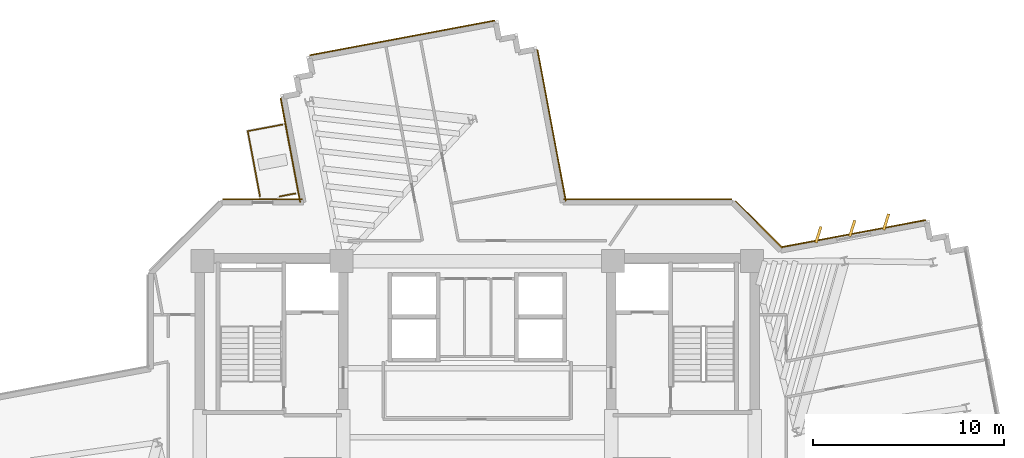
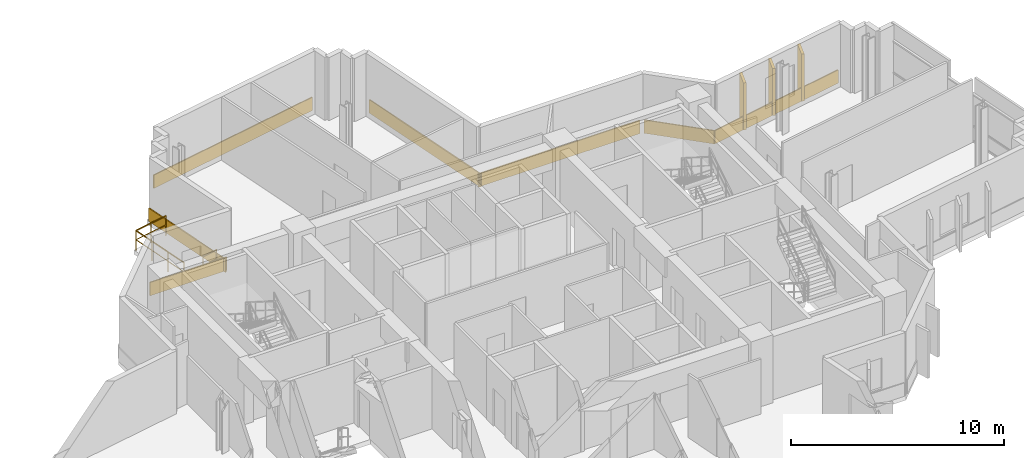
# One storey, part 16 of 16: 10 coverings, 3 railings.
"""IFC4 building model written with IfcOpenShell, lengths in metres."""

from ifc_helpers import new_model, si_unit, direction, frame, origin, origin_2d, place, context, subcontext, project, spatial, rectangle, extrude, source, transform, mapped, material, layer, layer_set, type_object, element, save


model = new_model("IFC4")

# Units and contexts
model_context = context("Model", 3, precision=1e-05, world=origin(), true_north=direction((0.0, 1.0)))
body_context = subcontext(model_context, "Body", "Model", "MODEL_VIEW")
ifc_project = project(units=[si_unit("LENGTHUNIT", "METRE"), si_unit("AREAUNIT", "SQUARE_METRE"), si_unit("VOLUMEUNIT", "CUBIC_METRE"), si_unit("PLANEANGLEUNIT", "RADIAN"), si_unit("MASSUNIT", "GRAM", prefix="KILO")], contexts=[model_context])

# Site, building, storey
site_placement = place(None, origin())
site = spatial("IfcSite", under=ifc_project, at=site_placement, CompositionType="ELEMENT")
building_placement = place(site_placement, origin())
building = spatial("IfcBuilding", under=site, at=building_placement, Name="Zahravan Cultural Tower", CompositionType="ELEMENT")
storey_placement = place(building_placement, frame((0.0, 0.0, 151.199951171875)))
storey = spatial("IfcBuildingStorey", under=building, at=storey_placement, Name="L34", CompositionType="ELEMENT", Elevation=151.199951171875)

# Railings
ifc_material_1 = material(Name="Steel ASTM A572 Grade 50", Category="steel")
railing_type = type_object("IfcRailingType", Name="RL-BAL-1150", PredefinedType="BALUSTRADE", material=ifc_material_1)
railing_1_placement = place(storey_placement, frame((24.01123046875, 42.9912109375, 0.0)))
element("IfcRailing", 1, at=railing_1_placement, inside=storey, type_object=railing_type, Name="L34 Edge Balustrade GRD-TR-L34-NW-01", PredefinedType="BALUSTRADE", context=body_context, shape_type="SweptSolid", body=[
    extrude(rectangle(XDim=0.05, YDim=0.05, at=origin_2d()), frame((0.0, 0.0, 1.125), z_axis=(0.98278843224, 0.184734667714, 0.0), x_axis=(-0.184734667714, 0.98278843224, 0.0)), (0.0, 0.0, 1.0), 1.85009765625),
    extrude(rectangle(XDim=0.032, YDim=0.032, at=origin_2d()), frame((0.0, 0.0, 0.597900390625), z_axis=(0.98278843224, 0.184734667714, 0.0), x_axis=(-0.184734667714, 0.98278843224, 0.0)), (0.0, 0.0, 1.0), 1.85009765625),
    extrude(rectangle(XDim=0.04, YDim=0.04, at=origin_2d()), origin(), (0.0, 0.0, 1.0), 1.14990234375),
    extrude(rectangle(XDim=0.04, YDim=0.04, at=origin_2d()), frame((0.9091796875, 0.1708984375, 0.0)), (0.0, 0.0, 1.0), 1.14990234375),
    extrude(rectangle(XDim=0.04, YDim=0.04, at=origin_2d()), frame((1.818359375, 0.341796875, 0.0)), (0.0, 0.0, 1.0), 1.14990234375),
])
railing_2_placement = place(storey_placement, frame((26.505126953125, 39.73583984375, 0.0)))
element("IfcRailing", 2, at=railing_2_placement, inside=storey, type_object=railing_type, Name="L34 Edge Balustrade GRD-TR-L34-NW-02", PredefinedType="BALUSTRADE", context=body_context, shape_type="SweptSolid", body=[
    extrude(rectangle(XDim=0.05, YDim=0.05, at=origin_2d()), frame((0.0, 0.0, 1.125), z_axis=(-0.982836160253, -0.184480573769, 0.0), x_axis=(0.184480573769, -0.982836160253, 0.0)), (0.0, 0.0, 1.0), 0.84423828125),
    extrude(rectangle(XDim=0.032, YDim=0.032, at=origin_2d()), frame((0.0, 0.0, 0.597900390625), z_axis=(-0.982836160253, -0.184480573769, 0.0), x_axis=(0.184480573769, -0.982836160253, 0.0)), (0.0, 0.0, 1.0), 0.84423828125),
    extrude(rectangle(XDim=0.04, YDim=0.04, at=origin_2d()), origin(), (0.0, 0.0, 1.0), 1.14990234375),
    extrude(rectangle(XDim=0.04, YDim=0.04, at=origin_2d()), frame((-0.829833984375, -0.15576171875, 0.0)), (0.0, 0.0, 1.0), 1.14990234375),
])
railing_3_placement = place(storey_placement, frame((24.652099609375, 39.580078125, 0.0)))
element("IfcRailing", 3, at=railing_3_placement, inside=storey, type_object=railing_type, Name="L34 Edge Balustrade GRD-TR-L34-NW-03", PredefinedType="BALUSTRADE", context=body_context, shape_type="SweptSolid", body=[
    extrude(rectangle(XDim=0.05, YDim=0.05, at=origin_2d()), frame((0.0, 0.0, 1.125), z_axis=(-0.184645271511, 0.982805231828, 0.0), x_axis=(-0.982805231828, -0.184645271511, 0.0)), (0.0, 0.0, 1.0), 3.470703125),
    extrude(rectangle(XDim=0.032, YDim=0.032, at=origin_2d()), frame((0.0, 0.0, 0.597900390625), z_axis=(-0.184645271511, 0.982805231828, 0.0), x_axis=(-0.982805231828, -0.184645271511, 0.0)), (0.0, 0.0, 1.0), 3.470703125),
    extrude(rectangle(XDim=0.04, YDim=0.04, at=origin_2d()), origin(), (0.0, 0.0, 1.0), 1.14990234375),
    extrude(rectangle(XDim=0.04, YDim=0.04, at=origin_2d()), frame((-0.213623046875, 1.136962890625, 0.0)), (0.0, 0.0, 1.0), 1.14990234375),
    extrude(rectangle(XDim=0.04, YDim=0.04, at=origin_2d()), frame((-0.42724609375, 2.274169921875, 0.0)), (0.0, 0.0, 1.0), 1.14990234375),
    extrude(rectangle(XDim=0.04, YDim=0.04, at=origin_2d()), frame((-0.640869140625, 3.4111328125, 0.0)), (0.0, 0.0, 1.0), 1.14990234375),
])

# Coverings
ifc_material_2 = material(Name="Terracotta ceramic cladding", Category="masonry")
ifc_layer = layer(ifc_material_2, 0.06005859375)
ifc_layer_set = layer_set([ifc_layer], Name="Terracotta ceramic cladding")
covering_type = type_object("IfcCoveringType", Name="COV-CLAD-TC60", PredefinedType="CLADDING", material=ifc_layer_set)
shared_shape_1 = source(origin(), body_context, "Body", "SweptSolid", [
    extrude(rectangle(XDim=9.820068359375, YDim=0.06005859375, at=origin_2d()), origin(), (0.0, 0.0, 1.0), 0.760009765625),
])
covering_1_placement = place(storey_placement, frame((32.0810546875, 47.860107421875, 0.02001953125), z_axis=(0.0, 0.0, 1.0), x_axis=(0.982806687355, 0.184637524056, 0.0)))
element("IfcCovering", 4, at=covering_1_placement, inside=storey, type_object=covering_type, Name="L34 Terracotta Spandrel Cladding 45", PredefinedType="CLADDING", context=body_context, shape_type="MappedRepresentation", body=[
    mapped(shared_shape_1, transform((0.0, 0.0, 0.0), x_axis=(1.0, 0.0, 0.0), y_axis=(0.0, 1.0, 0.0), z_axis=(0.0, 0.0, 1.0), scale=1.0)),
])
shared_shape_2 = source(origin(), body_context, "Body", "SweptSolid", [
    extrude(rectangle(XDim=0.8798828125, YDim=0.139892578125, at=origin_2d()), origin(), (0.0, 0.0, 1.0), 2.699951171875),
])
for number, where, z_axis, x_axis, name in (
    (5, (53.82080078125, 37.58251953125, 0.05029296875), (0.0, 0.0, 1.0), (0.298374534012, 0.954448865814, 0.0), "L34 Herringbone Terracotta Fin 01"),
    (6, (55.58984375, 37.914794921875, 0.05029296875), (0.0, 0.0, 1.0), (0.298374534012, 0.954448865814, 0.0), "L34 Herringbone Terracotta Fin 02"),
    (7, (57.35888671875, 38.2470703125, 0.05029296875), (0.0, 0.0, 1.0), (0.298374534012, 0.954448865814, 0.0), "L34 Herringbone Terracotta Fin 03"),
):
    element("IfcCovering", number, at=place(storey_placement, frame(where, z_axis=z_axis, x_axis=x_axis)), inside=storey, type_object=covering_type, Name=name, PredefinedType="CLADDING", context=body_context, shape_type="MappedRepresentation", body=[
        mapped(shared_shape_2, transform((0.0, 0.0, 0.0), x_axis=(1.0, 0.0, 0.0), y_axis=(0.0, 1.0, 0.0), z_axis=(0.0, 0.0, 1.0), scale=1.0)),
    ])
shared_shape_3 = source(origin(), body_context, "Body", "SweptSolid", [
    extrude(rectangle(XDim=7.683349609375, YDim=0.06005859375, at=origin_2d()), origin(), (0.0, 0.0, 1.0), 0.760009765625),
])
covering_2_placement = place(storey_placement, frame((55.642333984375, 37.634521484375, 0.02001953125), z_axis=(0.0, 0.0, 1.0), x_axis=(0.982806687355, 0.184637524056, 0.0)))
element("IfcCovering", 8, at=covering_2_placement, inside=storey, type_object=covering_type, Name="L34 Terracotta Spandrel Cladding 01", PredefinedType="CLADDING", context=body_context, shape_type="MappedRepresentation", body=[
    mapped(shared_shape_3, transform((0.0, 0.0, 0.0), x_axis=(1.0, 0.0, 0.0), y_axis=(0.0, 1.0, 0.0), z_axis=(0.0, 0.0, 1.0), scale=1.0)),
])
shared_shape_4 = source(origin(), body_context, "Body", "SweptSolid", [
    extrude(rectangle(XDim=4.162353515625, YDim=0.06005859375, at=origin_2d()), origin(), (0.0, 0.0, 1.0), 0.760009765625),
])
covering_3_placement = place(storey_placement, frame((24.7890625, 39.425048828125, 0.02001953125), z_axis=(0.0, 0.0, 1.0), x_axis=(1.0, 0.0, 0.0)))
element("IfcCovering", 9, at=covering_3_placement, inside=storey, type_object=covering_type, Name="L34 Terracotta Spandrel Cladding 39", PredefinedType="CLADDING", context=body_context, shape_type="MappedRepresentation", body=[
    mapped(shared_shape_4, transform((0.0, 0.0, 0.0), x_axis=(1.0, 0.0, 0.0), y_axis=(0.0, 1.0, 0.0), z_axis=(0.0, 0.0, 1.0), scale=1.0)),
])
shared_shape_5 = source(origin(), body_context, "Body", "SweptSolid", [
    extrude(rectangle(XDim=5.5341796875, YDim=0.06005859375, at=origin_2d()), origin(), (0.0, 0.0, 1.0), 0.760009765625),
])
covering_4_placement = place(storey_placement, frame((26.23779296875, 41.998291015625, 0.02001953125), z_axis=(0.0, 0.0, 1.0), x_axis=(-0.184654677241, 0.982803464673, 0.0)))
element("IfcCovering", 10, at=covering_4_placement, inside=storey, type_object=covering_type, Name="L34 Terracotta Spandrel Cladding 40", PredefinedType="CLADDING", context=body_context, shape_type="MappedRepresentation", body=[
    mapped(shared_shape_5, transform((0.0, 0.0, 0.0), x_axis=(1.0, 0.0, 0.0), y_axis=(0.0, 1.0, 0.0), z_axis=(0.0, 0.0, 1.0), scale=1.0)),
])
shared_shape_6 = source(origin(), body_context, "Body", "SweptSolid", [
    extrude(rectangle(XDim=8.03662109375, YDim=0.06005859375, at=origin_2d()), origin(), (0.0, 0.0, 1.0), 0.760009765625),
])
covering_5_placement = place(storey_placement, frame((39.88427734375, 43.288818359375, 0.02001953125), z_axis=(0.0, 0.0, 1.0), x_axis=(0.184637524056, -0.982806687355, 0.0)))
element("IfcCovering", 11, at=covering_5_placement, inside=storey, type_object=covering_type, Name="L34 Terracotta Spandrel Cladding 50", PredefinedType="CLADDING", context=body_context, shape_type="MappedRepresentation", body=[
    mapped(shared_shape_6, transform((0.0, 0.0, 0.0), x_axis=(1.0, 0.0, 0.0), y_axis=(0.0, 1.0, 0.0), z_axis=(0.0, 0.0, 1.0), scale=1.0)),
])
shared_shape_7 = source(origin(), body_context, "Body", "SweptSolid", [
    extrude(rectangle(XDim=8.768798828125, YDim=0.06005859375, at=origin_2d()), origin(), (0.0, 0.0, 1.0), 0.760009765625),
])
covering_6_placement = place(storey_placement, frame((44.90771484375, 39.425048828125, 0.02001953125), z_axis=(0.0, 0.0, 1.0), x_axis=(1.0, 0.0, 0.0)))
element("IfcCovering", 12, at=covering_6_placement, inside=storey, type_object=covering_type, Name="L34 Terracotta Spandrel Cladding 51", PredefinedType="CLADDING", context=body_context, shape_type="MappedRepresentation", body=[
    mapped(shared_shape_7, transform((0.0, 0.0, 0.0), x_axis=(1.0, 0.0, 0.0), y_axis=(0.0, 1.0, 0.0), z_axis=(0.0, 0.0, 1.0), scale=1.0)),
])
shared_shape_8 = source(origin(), body_context, "Body", "SweptSolid", [
    extrude(rectangle(XDim=3.444091796875, YDim=0.06005859375, at=origin_2d()), origin(), (0.0, 0.0, 1.0), 0.760009765625),
])
covering_7_placement = place(storey_placement, frame((50.711669921875, 38.12353515625, 0.02001953125), z_axis=(0.0, 0.0, 1.0), x_axis=(0.707106781187, -0.707106781187, 0.0)))
element("IfcCovering", 13, at=covering_7_placement, inside=storey, type_object=covering_type, Name="L34 Terracotta Spandrel Cladding 52", PredefinedType="CLADDING", context=body_context, shape_type="MappedRepresentation", body=[
    mapped(shared_shape_8, transform((0.0, 0.0, 0.0), x_axis=(1.0, 0.0, 0.0), y_axis=(0.0, 1.0, 0.0), z_axis=(0.0, 0.0, 1.0), scale=1.0)),
])

save(model, "model.ifc")
